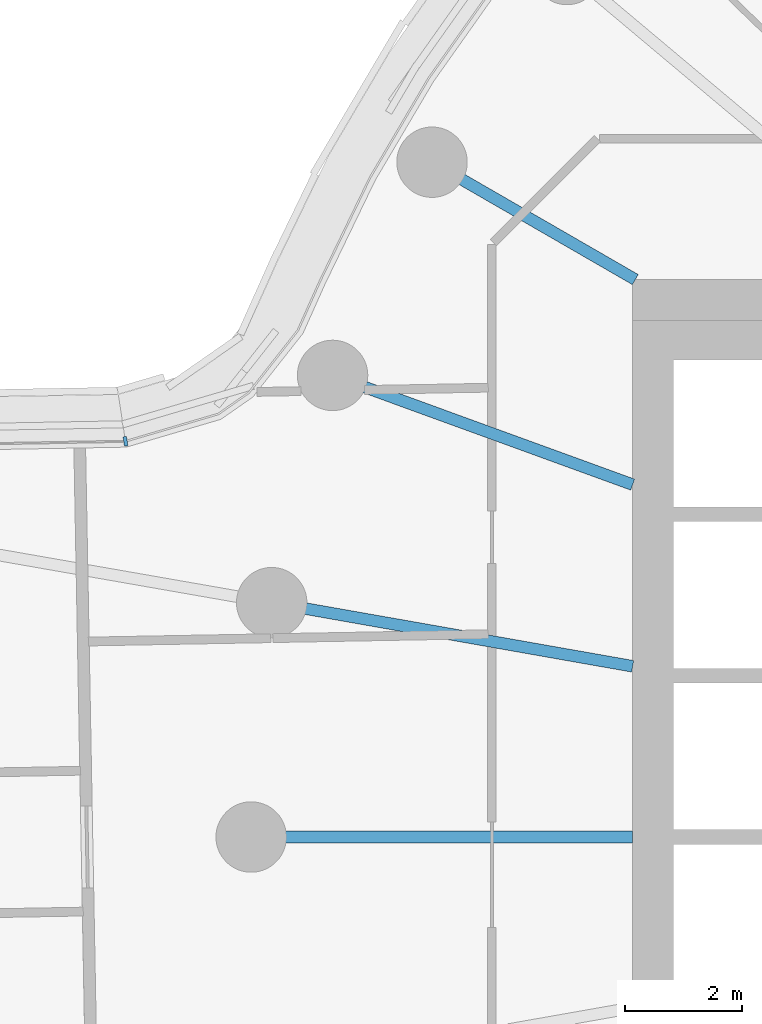
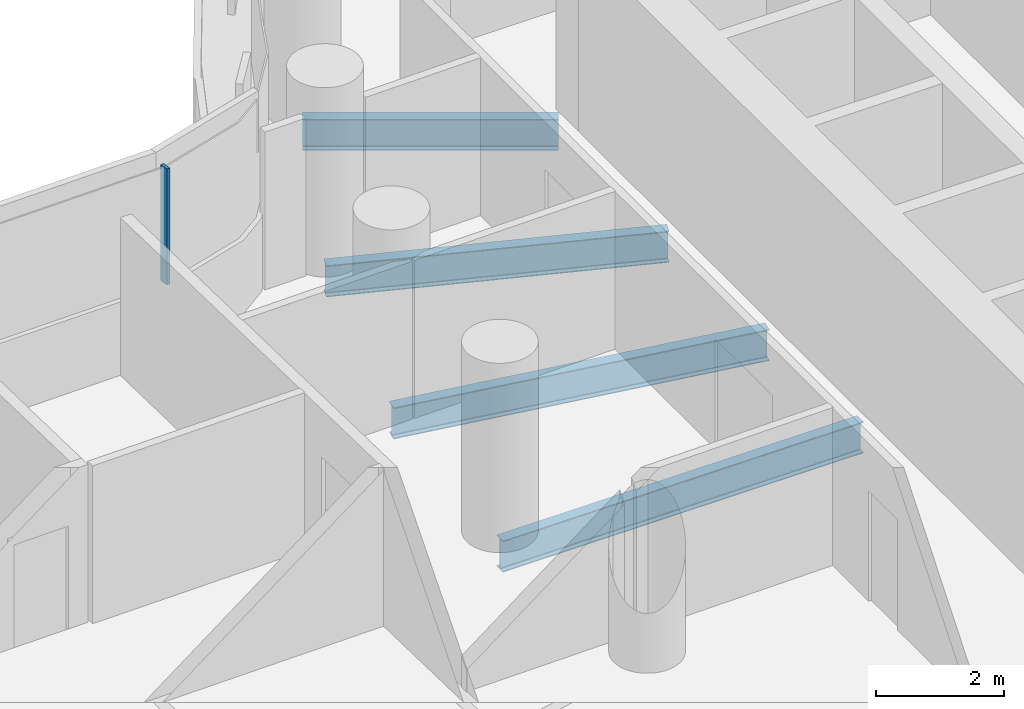
# One storey, part 7 of 31: 4 beams, 1 member, 1 element without a shape of its own.
"""IFC4 building model written with IfcOpenShell, lengths in metres."""

from ifc_helpers import new_model, si_unit, direction, frame, origin, origin_2d, place, context, subcontext, project, spatial, rectangle, i_section, extrude, material, layer, layer_set, material_profile, profile_set, type_object, element, aggregate, save


model = new_model("IFC4")

# Units and contexts
model_context = context("Model", 3, precision=1e-05, world=origin(), true_north=direction((0.0, 1.0)))
body_context = subcontext(model_context, "Body", "Model", "MODEL_VIEW")
ifc_project = project(units=[si_unit("LENGTHUNIT", "METRE"), si_unit("AREAUNIT", "SQUARE_METRE"), si_unit("VOLUMEUNIT", "CUBIC_METRE"), si_unit("PLANEANGLEUNIT", "RADIAN"), si_unit("MASSUNIT", "GRAM", prefix="KILO")], contexts=[model_context])

# Site, building, storey
site_placement = place(None, origin())
site = spatial("IfcSite", under=ifc_project, at=site_placement, CompositionType="ELEMENT")
building_placement = place(site_placement, origin())
building = spatial("IfcBuilding", under=site, at=building_placement, Name="Tamarind Cross Interchange Tower", CompositionType="ELEMENT")
storey_placement = place(building_placement, frame((0.0, 0.0, 37.75)))
storey = spatial("IfcBuildingStorey", under=building, at=storey_placement, Name="L07", CompositionType="ELEMENT", Elevation=37.75)

# Beams
ifc_material_1 = material(Name="Steel Q355B", Category="steel")
ifc_material_profile_1 = material_profile(ifc_material_1, i_section(OverallWidth=0.198974609375, OverallDepth=0.595947265625, WebThickness=0.010009765625, FlangeThickness=0.014892578125, FilletRadius=0.012939453125, at=origin_2d()), Name="HN 596x199x10x15")
ifc_profile_set_1 = profile_set([ifc_material_profile_1], Name="Steel Q355B")
beam_type = type_object("IfcBeamType", Name="Composite beam HN 596x199x10x15 Q355B", PredefinedType="BEAM", material=ifc_profile_set_1)
beam_1_placement = place(storey_placement, frame((-19.918701171875, 11.5, -0.43798828125), z_axis=(0.866026010844, -0.49999894854, 0.0), x_axis=(0.49999894854, 0.866026010844, 0.0)))
element("IfcBeam", 1, at=beam_1_placement, inside=storey, type_object=beam_type, Name="Beam HH15", PredefinedType="BEAM", context=body_context, shape_type="SweptSolid", body=[
    extrude(i_section(OverallWidth=0.198974609375, OverallDepth=0.595947265625, WebThickness=0.010009765625, FlangeThickness=0.014892578125, FilletRadius=0.012939453125, at=origin_2d()), origin(), (0.0, 0.0, 1.0), 4.0),
])
beam_2_placement = place(storey_placement, frame((-21.613037109375, 7.866455078125, -0.43798828125), z_axis=(0.939701685589, -0.341995236956, 0.0), x_axis=(0.341995236956, 0.939701685589, 0.0)))
element("IfcBeam", 2, at=beam_2_placement, inside=storey, type_object=beam_type, Name="Beam HH16", PredefinedType="BEAM", context=body_context, shape_type="SweptSolid", body=[
    extrude(i_section(OverallWidth=0.198974609375, OverallDepth=0.595947265625, WebThickness=0.010009765625, FlangeThickness=0.014892578125, FilletRadius=0.012939453125, at=origin_2d()), origin(), (0.0, 0.0, 1.0), 5.441162109375),
])
beam_3_placement = place(storey_placement, frame((-22.650634765625, 3.993896484375, -0.43798828125), z_axis=(0.984809127561, -0.173640382036, 0.0), x_axis=(0.173640382036, 0.984809127561, 0.0)))
element("IfcBeam", 3, at=beam_3_placement, inside=storey, type_object=beam_type, Name="Beam HH17", PredefinedType="BEAM", context=body_context, shape_type="SweptSolid", body=[
    extrude(i_section(OverallWidth=0.198974609375, OverallDepth=0.595947265625, WebThickness=0.010009765625, FlangeThickness=0.014892578125, FilletRadius=0.012939453125, at=origin_2d()), origin(), (0.0, 0.0, 1.0), 6.24560546875),
])
beam_4_placement = place(storey_placement, frame((-23.0, 0.0, -0.43798828125), z_axis=(1.0, 0.0, 0.0), x_axis=(0.0, 1.0, 0.0)))
element("IfcBeam", 4, at=beam_4_placement, inside=storey, type_object=beam_type, Name="Beam HH18", PredefinedType="BEAM", context=body_context, shape_type="SweptSolid", body=[
    extrude(i_section(OverallWidth=0.198974609375, OverallDepth=0.595947265625, WebThickness=0.010009765625, FlangeThickness=0.014892578125, FilletRadius=0.012939453125, at=origin_2d()), origin(), (0.0, 0.0, 1.0), 6.5),
])

# Curtain wall, member
ifc_material_2 = material(Name="Aluminium 6063-T6", Category="aluminium")
ifc_layer = layer(ifc_material_2, 0.159912109375)
ifc_layer_set = layer_set([ifc_layer], Name="Aluminium 6063-T6")
curtain_wall_type = type_object("IfcCurtainWallType", Name="Office curtain wall, 9.0 m bays", PredefinedType="NOTDEFINED", material=ifc_layer_set)
curtain_wall_placement = place(storey_placement, origin())
curtain_wall = element("IfcCurtainWall", 5, at=curtain_wall_placement, inside=storey, type_object=curtain_wall_type, Name="CWS-L07-03", PredefinedType="NOTDEFINED")
ifc_material_profile_2 = material_profile(ifc_material_2, rectangle(XDim=0.06005859375, YDim=0.159912109375, at=origin_2d()), Name="Mullion CW1")
ifc_profile_set_2 = profile_set([ifc_material_profile_2], Name="Aluminium 6063-T6")
member_type = type_object("IfcMemberType", Name="Mullion CW1", PredefinedType="MULLION", material=ifc_profile_set_2)
member_placement = place(storey_placement, frame((-25.142333984375, 6.743896484375, 1.39990234375), z_axis=(0.0, 0.0, 1.0), x_axis=(-0.988428214612, -0.151689368643, 0.0)))
member = element("IfcMember", 6, at=member_placement, type_object=member_type, Name="CWM-L07-03-00", PredefinedType="MULLION", context=body_context, shape_type="SweptSolid", body=[
    extrude(rectangle(XDim=0.06005859375, YDim=0.159912109375, at=origin_2d()), origin(), (0.0, 0.0, 1.0), 2.210205078125),
])
aggregate(curtain_wall, [member])

save(model, "model.ifc")
